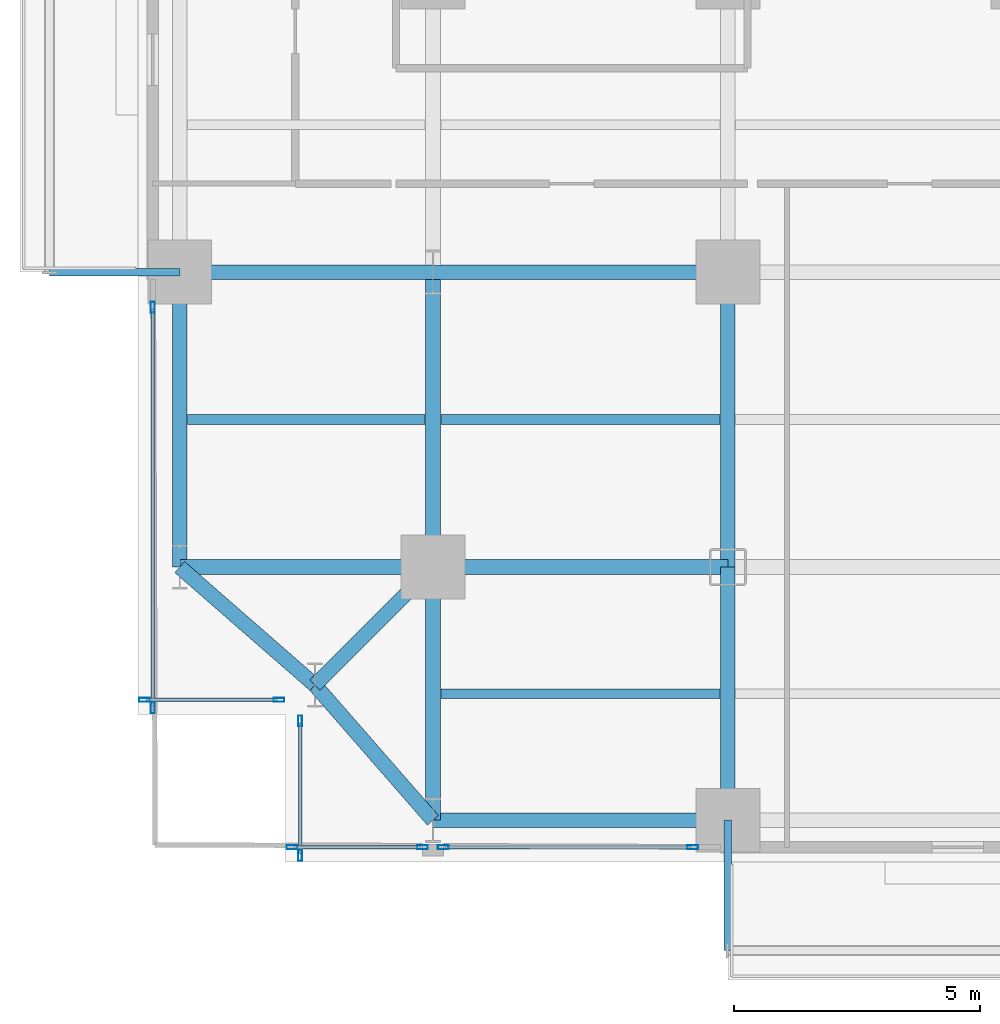
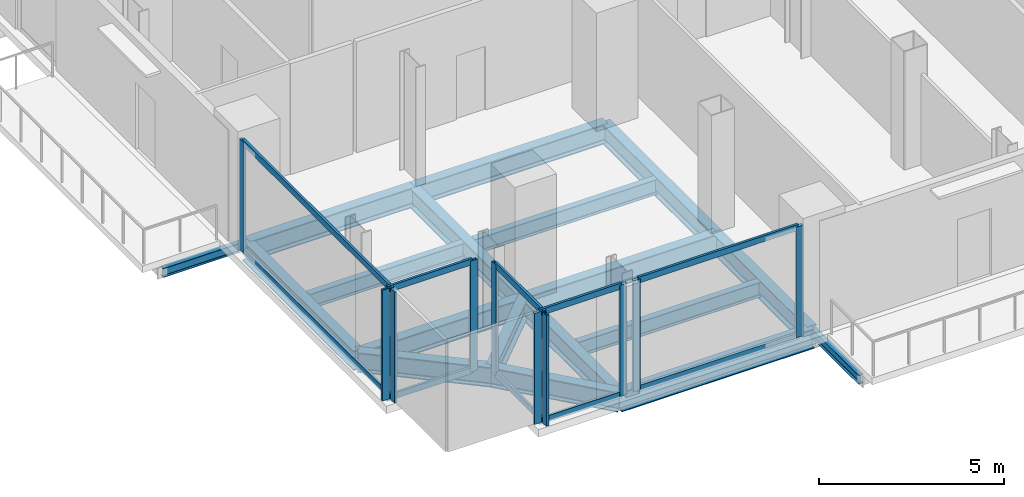
# One storey, part 2 of 25: 20 members, 18 beams, 5 elements without a shape of their own.
"""IFC4 building model written with IfcOpenShell, lengths in metres."""

from ifc_helpers import new_model, si_unit, direction, frame, origin, origin_2d, place, context, subcontext, project, spatial, hollow_rectangle, i_section, extrude, material, layer, layer_set, material_profile, profile_set, type_object, element, aggregate, save


model = new_model("IFC4")

# Units and contexts
model_context = context("Model", 3, precision=1e-05, world=origin(), true_north=direction((0.0, 1.0)))
body_context = subcontext(model_context, "Body", "Model", "MODEL_VIEW")
ifc_project = project(units=[si_unit("LENGTHUNIT", "METRE"), si_unit("AREAUNIT", "SQUARE_METRE"), si_unit("VOLUMEUNIT", "CUBIC_METRE"), si_unit("PLANEANGLEUNIT", "RADIAN"), si_unit("MASSUNIT", "GRAM", prefix="KILO"), si_unit("THERMODYNAMICTEMPERATUREUNIT", "KELVIN"), si_unit("POWERUNIT", "WATT")], contexts=[model_context])

# Site, building, storey
site_placement = place(None, origin())
site = spatial("IfcSite", under=ifc_project, at=site_placement, CompositionType="ELEMENT")
building_placement = place(site_placement, origin())
building = spatial("IfcBuilding", under=site, at=building_placement, Name="Svarakhadi Broadcast Tower", CompositionType="ELEMENT")
storey_placement = place(building_placement, frame((0.0, 0.0, 36.300048828125)))
storey = spatial("IfcBuildingStorey", under=building, at=storey_placement, Name="L07", CompositionType="ELEMENT", Elevation=36.300048828125)

# Beams
ifc_material_1 = material(Name="Steel S355J2 (IS 2062 E350C)", Category="steel")
ifc_material_profile_1 = material_profile(ifc_material_1, i_section(OverallWidth=0.199951171875, OverallDepth=0.5, WebThickness=0.01025390625, FlangeThickness=0.01611328125, FilletRadius=0.02099609375, at=origin_2d()), Name="NPB 500x200x91")
ifc_profile_set_1 = profile_set([ifc_material_profile_1], Name="Steel S355J2 (IS 2062 E350C)")
beam_type_1 = type_object("IfcBeamType", Name="Beam_NPB500", PredefinedType="BEAM", material=ifc_profile_set_1)
beam_1_placement = place(storey_placement, frame((1.010009765625, 9.0, -0.5), z_axis=(1.0, 0.0, 0.0), x_axis=(0.0, 1.0, 0.0)))
element("IfcBeam", 1, at=beam_1_placement, inside=storey, type_object=beam_type_1, Name="L07 Secondary Composite Beam SB001", PredefinedType="BEAM", context=body_context, shape_type="SweptSolid", body=[
    extrude(i_section(OverallWidth=0.199951171875, OverallDepth=0.5, WebThickness=0.01025390625, FlangeThickness=0.01611328125, FilletRadius=0.02099609375, at=origin_2d()), origin(), (0.0, 0.0, 1.0), 4.830078125),
])
for number, where, z_axis, x_axis, name in (
    (2, (6.159912109375, 3.425048828125, -0.5), (1.0, 0.0, 0.0), (0.0, 1.0, 0.0), "L07 Secondary Composite Beam SB007"),
    (3, (6.159912109375, 9.0, -0.5), (1.0, 0.0, 0.0), (0.0, 1.0, 0.0), "L07 Secondary Composite Beam SB008"),
):
    element("IfcBeam", number, at=place(storey_placement, frame(where, z_axis=z_axis, x_axis=x_axis)), inside=storey, type_object=beam_type_1, Name=name, PredefinedType="BEAM", context=body_context, shape_type="SweptSolid", body=[
        extrude(i_section(OverallWidth=0.199951171875, OverallDepth=0.5, WebThickness=0.01025390625, FlangeThickness=0.01611328125, FilletRadius=0.02099609375, at=origin_2d()), origin(), (0.0, 0.0, 1.0), 5.68017578125),
    ])

# Curtain wall, members
ifc_material_2 = material(Name="Anodised Bronze Aluminium AA 6063-T6", Category="aluminium")
ifc_layer = layer(ifc_material_2, 0.219970703125)
ifc_layer_set = layer_set([ifc_layer], Name="Anodised Bronze Aluminium AA 6063-T6")
curtain_wall_type = type_object("IfcCurtainWallType", Name="CW_Sys_02", PredefinedType="NOTDEFINED", material=ifc_layer_set)
curtain_wall_1_placement = place(storey_placement, origin())
curtain_wall_1 = element("IfcCurtainWall", 4, at=curtain_wall_1_placement, inside=storey, type_object=curtain_wall_type, Name="L07 Unitised Facade Curtain Wall 01", PredefinedType="NOTDEFINED")
ifc_material_profile_2 = material_profile(ifc_material_2, hollow_rectangle(XDim=0.0849609375, YDim=0.219970703125, WallThickness=0.006103515625, at=origin_2d()), Name="ALU MULLION 220x85x6")
ifc_profile_set_2 = profile_set([ifc_material_profile_2], Name="Anodised Bronze Aluminium AA 6063-T6")
member_type_1 = type_object("IfcMemberType", Name="CW_Sys_02_Mul", PredefinedType="MULLION", material=ifc_profile_set_2)
member_1_placement = place(storey_placement, frame((2.867431640625, 3.300048828125, 0.0), z_axis=(0.0, 0.0, 1.0), x_axis=(0.0, -1.0, 0.0)))
member_1 = element("IfcMember", 5, at=member_1_placement, type_object=member_type_1, Name="CW-02 mullion 1", PredefinedType="MULLION", context=body_context, shape_type="SweptSolid", body=[
    extrude(hollow_rectangle(XDim=0.0849609375, YDim=0.219970703125, WallThickness=0.006103515625, at=origin_2d()), origin(), (0.0, 0.0, 1.0), 3.64990234375),
])
member_2_placement = place(storey_placement, frame((0.132568359375, 3.300048828125, 0.0), z_axis=(0.0, 0.0, 1.0), x_axis=(0.0, -1.0, 0.0)))
member_2 = element("IfcMember", 6, at=member_2_placement, type_object=member_type_1, Name="CW-02 mullion 2", PredefinedType="MULLION", context=body_context, shape_type="SweptSolid", body=[
    extrude(hollow_rectangle(XDim=0.0849609375, YDim=0.219970703125, WallThickness=0.006103515625, at=origin_2d()), origin(), (0.0, 0.0, 1.0), 3.64990234375),
])

curtain_wall_2_placement = place(storey_placement, origin())
curtain_wall_2 = element("IfcCurtainWall", 7, at=curtain_wall_2_placement, inside=storey, type_object=curtain_wall_type, Name="L07 West Curtain Wall 02", PredefinedType="NOTDEFINED")
member_3_placement = place(storey_placement, frame((0.300048828125, 3.132568359375, 0.0), z_axis=(0.0, 0.0, 1.0), x_axis=(-1.0, 0.0, 0.0)))
member_3 = element("IfcMember", 8, at=member_3_placement, type_object=member_type_1, Name="CW-02 mullion 1", PredefinedType="MULLION", context=body_context, shape_type="SweptSolid", body=[
    extrude(hollow_rectangle(XDim=0.0849609375, YDim=0.219970703125, WallThickness=0.006103515625, at=origin_2d()), origin(), (0.0, 0.0, 1.0), 3.64990234375),
])
member_4_placement = place(storey_placement, frame((0.300048828125, 11.28759765625, 0.0), z_axis=(0.0, 0.0, 1.0), x_axis=(-1.0, 0.0, 0.0)))
member_4 = element("IfcMember", 9, at=member_4_placement, type_object=member_type_1, Name="CW-02 mullion 2", PredefinedType="MULLION", context=body_context, shape_type="SweptSolid", body=[
    extrude(hollow_rectangle(XDim=0.0849609375, YDim=0.219970703125, WallThickness=0.006103515625, at=origin_2d()), origin(), (0.0, 0.0, 1.0), 3.64990234375),
])

curtain_wall_3_placement = place(storey_placement, origin())
curtain_wall_3 = element("IfcCurtainWall", 10, at=curtain_wall_3_placement, inside=storey, type_object=curtain_wall_type, Name="L07 South Curtain Wall 17 Bay 1", PredefinedType="NOTDEFINED")
member_5_placement = place(storey_placement, frame((11.28759765625, 0.300048828125, 0.0), z_axis=(0.0, 0.0, 1.0), x_axis=(0.0, -1.0, 0.0)))
member_5 = element("IfcMember", 11, at=member_5_placement, type_object=member_type_1, Name="CW-02 mullion 1", PredefinedType="MULLION", context=body_context, shape_type="SweptSolid", body=[
    extrude(hollow_rectangle(XDim=0.0849609375, YDim=0.219970703125, WallThickness=0.006103515625, at=origin_2d()), origin(), (0.0, 0.0, 1.0), 3.64990234375),
])
member_6_placement = place(storey_placement, frame((6.21240234375, 0.300048828125, 0.0), z_axis=(0.0, 0.0, 1.0), x_axis=(0.0, -1.0, 0.0)))
member_6 = element("IfcMember", 12, at=member_6_placement, type_object=member_type_1, Name="CW-02 mullion 2", PredefinedType="MULLION", context=body_context, shape_type="SweptSolid", body=[
    extrude(hollow_rectangle(XDim=0.0849609375, YDim=0.219970703125, WallThickness=0.006103515625, at=origin_2d()), origin(), (0.0, 0.0, 1.0), 3.64990234375),
])

curtain_wall_4_placement = place(storey_placement, origin())
curtain_wall_4 = element("IfcCurtainWall", 13, at=curtain_wall_4_placement, inside=storey, type_object=curtain_wall_type, Name="L07 South Curtain Wall 17 Bay 2", PredefinedType="NOTDEFINED")
member_7_placement = place(storey_placement, frame((5.78759765625, 0.300048828125, 0.0), z_axis=(0.0, 0.0, 1.0), x_axis=(0.0, -1.0, 0.0)))
member_7 = element("IfcMember", 14, at=member_7_placement, type_object=member_type_1, Name="CW-02 mullion 1", PredefinedType="MULLION", context=body_context, shape_type="SweptSolid", body=[
    extrude(hollow_rectangle(XDim=0.0849609375, YDim=0.219970703125, WallThickness=0.006103515625, at=origin_2d()), origin(), (0.0, 0.0, 1.0), 3.64990234375),
])
member_8_placement = place(storey_placement, frame((3.132568359375, 0.300048828125, 0.0), z_axis=(0.0, 0.0, 1.0), x_axis=(0.0, -1.0, 0.0)))
member_8 = element("IfcMember", 15, at=member_8_placement, type_object=member_type_1, Name="CW-02 mullion 2", PredefinedType="MULLION", context=body_context, shape_type="SweptSolid", body=[
    extrude(hollow_rectangle(XDim=0.0849609375, YDim=0.219970703125, WallThickness=0.006103515625, at=origin_2d()), origin(), (0.0, 0.0, 1.0), 3.64990234375),
])

curtain_wall_5_placement = place(storey_placement, origin())
curtain_wall_5 = element("IfcCurtainWall", 16, at=curtain_wall_5_placement, inside=storey, type_object=curtain_wall_type, Name="L07 Unitised Facade Curtain Wall 18", PredefinedType="NOTDEFINED")
member_9_placement = place(storey_placement, frame((3.300048828125, 0.132568359375, 0.0), z_axis=(0.0, 0.0, 1.0), x_axis=(-1.0, 0.0, 0.0)))
member_9 = element("IfcMember", 17, at=member_9_placement, type_object=member_type_1, Name="CW-02 mullion 1", PredefinedType="MULLION", context=body_context, shape_type="SweptSolid", body=[
    extrude(hollow_rectangle(XDim=0.0849609375, YDim=0.219970703125, WallThickness=0.006103515625, at=origin_2d()), origin(), (0.0, 0.0, 1.0), 3.64990234375),
])
member_10_placement = place(storey_placement, frame((3.300048828125, 2.867431640625, 0.0), z_axis=(0.0, 0.0, 1.0), x_axis=(-1.0, 0.0, 0.0)))
member_10 = element("IfcMember", 18, at=member_10_placement, type_object=member_type_1, Name="CW-02 mullion 2", PredefinedType="MULLION", context=body_context, shape_type="SweptSolid", body=[
    extrude(hollow_rectangle(XDim=0.0849609375, YDim=0.219970703125, WallThickness=0.006103515625, at=origin_2d()), origin(), (0.0, 0.0, 1.0), 3.64990234375),
])

# Member
ifc_material_profile_3 = material_profile(ifc_material_2, hollow_rectangle(XDim=0.074951171875, YDim=0.199951171875, WallThickness=0.0048828125, at=origin_2d()), Name="ALU TRANSOM 200x75x5")
ifc_profile_set_3 = profile_set([ifc_material_profile_3], Name="Anodised Bronze Aluminium AA 6063-T6")
member_type_2 = type_object("IfcMemberType", Name="CW_Sys_02_Trn", PredefinedType="USERDEFINED", material=ifc_profile_set_3)
member_11_placement = place(storey_placement, frame((2.824951171875, 3.300048828125, 0.037353515625), z_axis=(-1.0, 0.0, 0.0), x_axis=(0.0, -1.0, 0.0)))
member_11 = element("IfcMember", 19, at=member_11_placement, type_object=member_type_2, Name="CW-02 transom 1.1", ObjectType="TRANSOM", PredefinedType="USERDEFINED", context=body_context, shape_type="SweptSolid", body=[
    extrude(hollow_rectangle(XDim=0.074951171875, YDim=0.199951171875, WallThickness=0.0048828125, at=origin_2d()), origin(), (0.0, 0.0, 1.0), 2.64990234375),
])

member_12_placement = place(storey_placement, frame((2.824951171875, 3.300048828125, 3.612548828125), z_axis=(-1.0, 0.0, 0.0), x_axis=(0.0, -1.0, 0.0)))
member_12 = element("IfcMember", 20, at=member_12_placement, type_object=member_type_2, Name="CW-02 transom 1.2", ObjectType="TRANSOM", PredefinedType="USERDEFINED", context=body_context, shape_type="SweptSolid", body=[
    extrude(hollow_rectangle(XDim=0.074951171875, YDim=0.199951171875, WallThickness=0.0048828125, at=origin_2d()), origin(), (0.0, 0.0, 1.0), 2.64990234375),
])

aggregate(curtain_wall_1, [member_1, member_2, member_11, member_12])

member_13_placement = place(storey_placement, frame((0.300048828125, 3.175048828125, 0.037353515625), z_axis=(0.0, 1.0, 0.0), x_axis=(-1.0, 0.0, 0.0)))
member_13 = element("IfcMember", 21, at=member_13_placement, type_object=member_type_2, Name="CW-02 transom 1.1", ObjectType="TRANSOM", PredefinedType="USERDEFINED", context=body_context, shape_type="SweptSolid", body=[
    extrude(hollow_rectangle(XDim=0.074951171875, YDim=0.199951171875, WallThickness=0.0048828125, at=origin_2d()), origin(), (0.0, 0.0, 1.0), 8.070068359375),
])

member_14_placement = place(storey_placement, frame((0.300048828125, 3.175048828125, 3.612548828125), z_axis=(0.0, 1.0, 0.0), x_axis=(-1.0, 0.0, 0.0)))
member_14 = element("IfcMember", 22, at=member_14_placement, type_object=member_type_2, Name="CW-02 transom 1.2", ObjectType="TRANSOM", PredefinedType="USERDEFINED", context=body_context, shape_type="SweptSolid", body=[
    extrude(hollow_rectangle(XDim=0.074951171875, YDim=0.199951171875, WallThickness=0.0048828125, at=origin_2d()), origin(), (0.0, 0.0, 1.0), 8.070068359375),
])

aggregate(curtain_wall_2, [member_3, member_4, member_13, member_14])

member_15_placement = place(storey_placement, frame((11.2451171875, 0.300048828125, 0.037353515625), z_axis=(-1.0, 0.0, 0.0), x_axis=(0.0, -1.0, 0.0)))
member_15 = element("IfcMember", 23, at=member_15_placement, type_object=member_type_2, Name="CW-02 transom 1.1", ObjectType="TRANSOM", PredefinedType="USERDEFINED", context=body_context, shape_type="SweptSolid", body=[
    extrude(hollow_rectangle(XDim=0.074951171875, YDim=0.199951171875, WallThickness=0.0048828125, at=origin_2d()), origin(), (0.0, 0.0, 1.0), 4.990234375),
])

member_16_placement = place(storey_placement, frame((11.2451171875, 0.300048828125, 3.612548828125), z_axis=(-1.0, 0.0, 0.0), x_axis=(0.0, -1.0, 0.0)))
member_16 = element("IfcMember", 24, at=member_16_placement, type_object=member_type_2, Name="CW-02 transom 1.2", ObjectType="TRANSOM", PredefinedType="USERDEFINED", context=body_context, shape_type="SweptSolid", body=[
    extrude(hollow_rectangle(XDim=0.074951171875, YDim=0.199951171875, WallThickness=0.0048828125, at=origin_2d()), origin(), (0.0, 0.0, 1.0), 4.990234375),
])

aggregate(curtain_wall_3, [member_5, member_6, member_15, member_16])

member_17_placement = place(storey_placement, frame((5.7451171875, 0.300048828125, 0.037353515625), z_axis=(-1.0, 0.0, 0.0), x_axis=(0.0, -1.0, 0.0)))
member_17 = element("IfcMember", 25, at=member_17_placement, type_object=member_type_2, Name="CW-02 transom 1.1", ObjectType="TRANSOM", PredefinedType="USERDEFINED", context=body_context, shape_type="SweptSolid", body=[
    extrude(hollow_rectangle(XDim=0.074951171875, YDim=0.199951171875, WallThickness=0.0048828125, at=origin_2d()), origin(), (0.0, 0.0, 1.0), 2.570068359375),
])

member_18_placement = place(storey_placement, frame((5.7451171875, 0.300048828125, 3.612548828125), z_axis=(-1.0, 0.0, 0.0), x_axis=(0.0, -1.0, 0.0)))
member_18 = element("IfcMember", 26, at=member_18_placement, type_object=member_type_2, Name="CW-02 transom 1.2", ObjectType="TRANSOM", PredefinedType="USERDEFINED", context=body_context, shape_type="SweptSolid", body=[
    extrude(hollow_rectangle(XDim=0.074951171875, YDim=0.199951171875, WallThickness=0.0048828125, at=origin_2d()), origin(), (0.0, 0.0, 1.0), 2.570068359375),
])

aggregate(curtain_wall_4, [member_7, member_8, member_17, member_18])

member_19_placement = place(storey_placement, frame((3.300048828125, 0.175048828125, 0.037353515625), z_axis=(0.0, 1.0, 0.0), x_axis=(-1.0, 0.0, 0.0)))
member_19 = element("IfcMember", 27, at=member_19_placement, type_object=member_type_2, Name="CW-02 transom 1.1", ObjectType="TRANSOM", PredefinedType="USERDEFINED", context=body_context, shape_type="SweptSolid", body=[
    extrude(hollow_rectangle(XDim=0.074951171875, YDim=0.199951171875, WallThickness=0.0048828125, at=origin_2d()), origin(), (0.0, 0.0, 1.0), 2.64990234375),
])

member_20_placement = place(storey_placement, frame((3.300048828125, 0.175048828125, 3.612548828125), z_axis=(0.0, 1.0, 0.0), x_axis=(-1.0, 0.0, 0.0)))
member_20 = element("IfcMember", 28, at=member_20_placement, type_object=member_type_2, Name="CW-02 transom 1.2", ObjectType="TRANSOM", PredefinedType="USERDEFINED", context=body_context, shape_type="SweptSolid", body=[
    extrude(hollow_rectangle(XDim=0.074951171875, YDim=0.199951171875, WallThickness=0.0048828125, at=origin_2d()), origin(), (0.0, 0.0, 1.0), 2.64990234375),
])

aggregate(curtain_wall_5, [member_9, member_10, member_19, member_20])

# Beams
ifc_material_profile_4 = material_profile(ifc_material_1, i_section(OverallWidth=0.300048828125, OverallDepth=0.64990234375, WebThickness=0.01611328125, FlangeThickness=0.031005859375, FilletRadius=0.027099609375, at=origin_2d()), Name="WPB 650x300x225")
ifc_profile_set_4 = profile_set([ifc_material_profile_4], Name="Steel S355J2 (IS 2062 E350C)")
beam_type_2 = type_object("IfcBeamType", Name="Girder_WPB650", PredefinedType="USERDEFINED", material=ifc_profile_set_4)
beam_2_placement = place(storey_placement, frame((3.60009765625, 3.60009765625, -0.574951171875), z_axis=(0.707106781187, 0.707106781187, 0.0), x_axis=(-0.707106781187, 0.707106781187, 0.0)))
element("IfcBeam", 29, at=beam_2_placement, inside=storey, type_object=beam_type_2, Name="L07 Corner Tie Girder G001", ObjectType="GIRDER", PredefinedType="USERDEFINED", context=body_context, shape_type="SweptSolid", body=[
    extrude(i_section(OverallWidth=0.300048828125, OverallDepth=0.64990234375, WebThickness=0.01611328125, FlangeThickness=0.031005859375, FilletRadius=0.027099609375, at=origin_2d()), origin(), (0.0, 0.0, 1.0), 3.39404296875),
])
for number, where, z_axis, x_axis, name in (
    (30, (3.60009765625, 3.60009765625, -0.574951171875), (-0.753437912176, 0.657519058655, 0.0), (-0.657519058655, -0.753437912176, 0.0), "L07 Corner Tie Girder G002"),
    (31, (3.60009765625, 3.60009765625, -0.574951171875), (0.657519058655, -0.753437912176, 0.0), (0.753437912176, 0.657519058655, 0.0), "L07 Corner Tie Girder G003"),
):
    element("IfcBeam", number, at=place(storey_placement, frame(where, z_axis=z_axis, x_axis=x_axis)), inside=storey, type_object=beam_type_2, Name=name, ObjectType="GIRDER", PredefinedType="USERDEFINED", context=body_context, shape_type="SweptSolid", body=[
        extrude(i_section(OverallWidth=0.300048828125, OverallDepth=0.64990234375, WebThickness=0.01611328125, FlangeThickness=0.031005859375, FilletRadius=0.027099609375, at=origin_2d()), origin(), (0.0, 0.0, 1.0), 3.64990234375),
    ])
beam_3_placement = place(storey_placement, frame((6.0, 0.85009765625, -0.574951171875), z_axis=(1.0, 0.0, 0.0), x_axis=(0.0, 1.0, 0.0)))
element("IfcBeam", 32, at=beam_3_placement, inside=storey, type_object=beam_type_2, Name="L07 Primary E-W Girder G004", ObjectType="GIRDER", PredefinedType="USERDEFINED", context=body_context, shape_type="SweptSolid", body=[
    extrude(i_section(OverallWidth=0.300048828125, OverallDepth=0.64990234375, WebThickness=0.01611328125, FlangeThickness=0.031005859375, FilletRadius=0.027099609375, at=origin_2d()), origin(), (0.0, 0.0, 1.0), 6.0),
])
beam_4_placement = place(storey_placement, frame((0.85009765625, 6.0, -0.574951171875), z_axis=(1.0, 0.0, 0.0), x_axis=(0.0, 1.0, 0.0)))
element("IfcBeam", 33, at=beam_4_placement, inside=storey, type_object=beam_type_2, Name="L07 Primary E-W Girder G011", ObjectType="GIRDER", PredefinedType="USERDEFINED", context=body_context, shape_type="SweptSolid", body=[
    extrude(i_section(OverallWidth=0.300048828125, OverallDepth=0.64990234375, WebThickness=0.01611328125, FlangeThickness=0.031005859375, FilletRadius=0.027099609375, at=origin_2d()), origin(), (0.0, 0.0, 1.0), 5.14990234375),
])
beam_5_placement = place(storey_placement, frame((6.0, 6.0, -0.574951171875), z_axis=(1.0, 0.0, 0.0), x_axis=(0.0, 1.0, 0.0)))
element("IfcBeam", 34, at=beam_5_placement, inside=storey, type_object=beam_type_2, Name="L07 Primary E-W Girder G012", ObjectType="GIRDER", PredefinedType="USERDEFINED", context=body_context, shape_type="SweptSolid", body=[
    extrude(i_section(OverallWidth=0.300048828125, OverallDepth=0.64990234375, WebThickness=0.01611328125, FlangeThickness=0.031005859375, FilletRadius=0.027099609375, at=origin_2d()), origin(), (0.0, 0.0, 1.0), 6.0),
])
beam_6_placement = place(storey_placement, frame((0.85009765625, 12.0, -0.574951171875), z_axis=(1.0, 0.0, 0.0), x_axis=(0.0, 1.0, 0.0)))
element("IfcBeam", 35, at=beam_6_placement, inside=storey, type_object=beam_type_2, Name="L07 Primary E-W Girder G019", ObjectType="GIRDER", PredefinedType="USERDEFINED", context=body_context, shape_type="SweptSolid", body=[
    extrude(i_section(OverallWidth=0.300048828125, OverallDepth=0.64990234375, WebThickness=0.01611328125, FlangeThickness=0.031005859375, FilletRadius=0.027099609375, at=origin_2d()), origin(), (0.0, 0.0, 1.0), 5.14990234375),
])
for number, where, z_axis, x_axis, name in (
    (36, (6.0, 12.0, -0.574951171875), (1.0, 0.0, 0.0), (0.0, 1.0, 0.0), "L07 Primary E-W Girder G020"),
    (37, (0.85009765625, 6.0, -0.574951171875), (0.0, 1.0, 0.0), (-1.0, 0.0, 0.0), "L07 Primary N-S Girder G045"),
):
    element("IfcBeam", number, at=place(storey_placement, frame(where, z_axis=z_axis, x_axis=x_axis)), inside=storey, type_object=beam_type_2, Name=name, ObjectType="GIRDER", PredefinedType="USERDEFINED", context=body_context, shape_type="SweptSolid", body=[
        extrude(i_section(OverallWidth=0.300048828125, OverallDepth=0.64990234375, WebThickness=0.01611328125, FlangeThickness=0.031005859375, FilletRadius=0.027099609375, at=origin_2d()), origin(), (0.0, 0.0, 1.0), 6.0),
    ])
beam_7_placement = place(storey_placement, frame((6.0, 0.85009765625, -0.574951171875), z_axis=(0.0, 1.0, 0.0), x_axis=(-1.0, 0.0, 0.0)))
element("IfcBeam", 38, at=beam_7_placement, inside=storey, type_object=beam_type_2, Name="L07 Primary N-S Girder G051", ObjectType="GIRDER", PredefinedType="USERDEFINED", context=body_context, shape_type="SweptSolid", body=[
    extrude(i_section(OverallWidth=0.300048828125, OverallDepth=0.64990234375, WebThickness=0.01611328125, FlangeThickness=0.031005859375, FilletRadius=0.027099609375, at=origin_2d()), origin(), (0.0, 0.0, 1.0), 5.14990234375),
])
beam_8_placement = place(storey_placement, frame((6.0, 6.0, -0.574951171875), z_axis=(0.0, 1.0, 0.0), x_axis=(-1.0, 0.0, 0.0)))
element("IfcBeam", 39, at=beam_8_placement, inside=storey, type_object=beam_type_2, Name="L07 Primary N-S Girder G052", ObjectType="GIRDER", PredefinedType="USERDEFINED", context=body_context, shape_type="SweptSolid", body=[
    extrude(i_section(OverallWidth=0.300048828125, OverallDepth=0.64990234375, WebThickness=0.01611328125, FlangeThickness=0.031005859375, FilletRadius=0.027099609375, at=origin_2d()), origin(), (0.0, 0.0, 1.0), 6.0),
])
beam_9_placement = place(storey_placement, frame((12.0, 0.85009765625, -0.574951171875), z_axis=(0.0, 1.0, 0.0), x_axis=(-1.0, 0.0, 0.0)))
element("IfcBeam", 40, at=beam_9_placement, inside=storey, type_object=beam_type_2, Name="L07 Primary N-S Girder G058", ObjectType="GIRDER", PredefinedType="USERDEFINED", context=body_context, shape_type="SweptSolid", body=[
    extrude(i_section(OverallWidth=0.300048828125, OverallDepth=0.64990234375, WebThickness=0.01611328125, FlangeThickness=0.031005859375, FilletRadius=0.027099609375, at=origin_2d()), origin(), (0.0, 0.0, 1.0), 5.14990234375),
])
beam_10_placement = place(storey_placement, frame((12.0, 6.0, -0.574951171875), z_axis=(0.0, 1.0, 0.0), x_axis=(-1.0, 0.0, 0.0)))
element("IfcBeam", 41, at=beam_10_placement, inside=storey, type_object=beam_type_2, Name="L07 Primary N-S Girder G059", ObjectType="GIRDER", PredefinedType="USERDEFINED", context=body_context, shape_type="SweptSolid", body=[
    extrude(i_section(OverallWidth=0.300048828125, OverallDepth=0.64990234375, WebThickness=0.01611328125, FlangeThickness=0.031005859375, FilletRadius=0.027099609375, at=origin_2d()), origin(), (0.0, 0.0, 1.0), 6.0),
])
ifc_material_profile_5 = material_profile(ifc_material_1, i_section(OverallWidth=0.14990234375, OverallDepth=0.300048828125, WebThickness=0.007080078125, FlangeThickness=0.0107421875, FilletRadius=0.014892578125, at=origin_2d()), Name="NPB 300x150x37")
ifc_profile_set_5 = profile_set([ifc_material_profile_5], Name="Steel S355J2 (IS 2062 E350C)")
beam_type_3 = type_object("IfcBeamType", Name="Spandrel_NPB300", PredefinedType="SPANDREL", material=ifc_profile_set_5)
for number, where, z_axis, x_axis, name in (
    (42, (12.0, 0.85009765625, -0.400146484375), (0.0, -1.0, 0.0), (1.0, 0.0, 0.0), "L07 Balcony Cantilever Bracket 1A"),
    (43, (0.85009765625, 12.0, -0.400146484375), (-1.0, 0.0, 0.0), (0.0, -1.0, 0.0), "L07 Balcony Cantilever Bracket 2A"),
):
    element("IfcBeam", number, at=place(storey_placement, frame(where, z_axis=z_axis, x_axis=x_axis)), inside=storey, type_object=beam_type_3, Name=name, PredefinedType="SPANDREL", context=body_context, shape_type="SweptSolid", body=[
        extrude(i_section(OverallWidth=0.14990234375, OverallDepth=0.300048828125, WebThickness=0.007080078125, FlangeThickness=0.0107421875, FilletRadius=0.014892578125, at=origin_2d()), origin(), (0.0, 0.0, 1.0), 2.650146484375),
    ])

save(model, "model.ifc")
